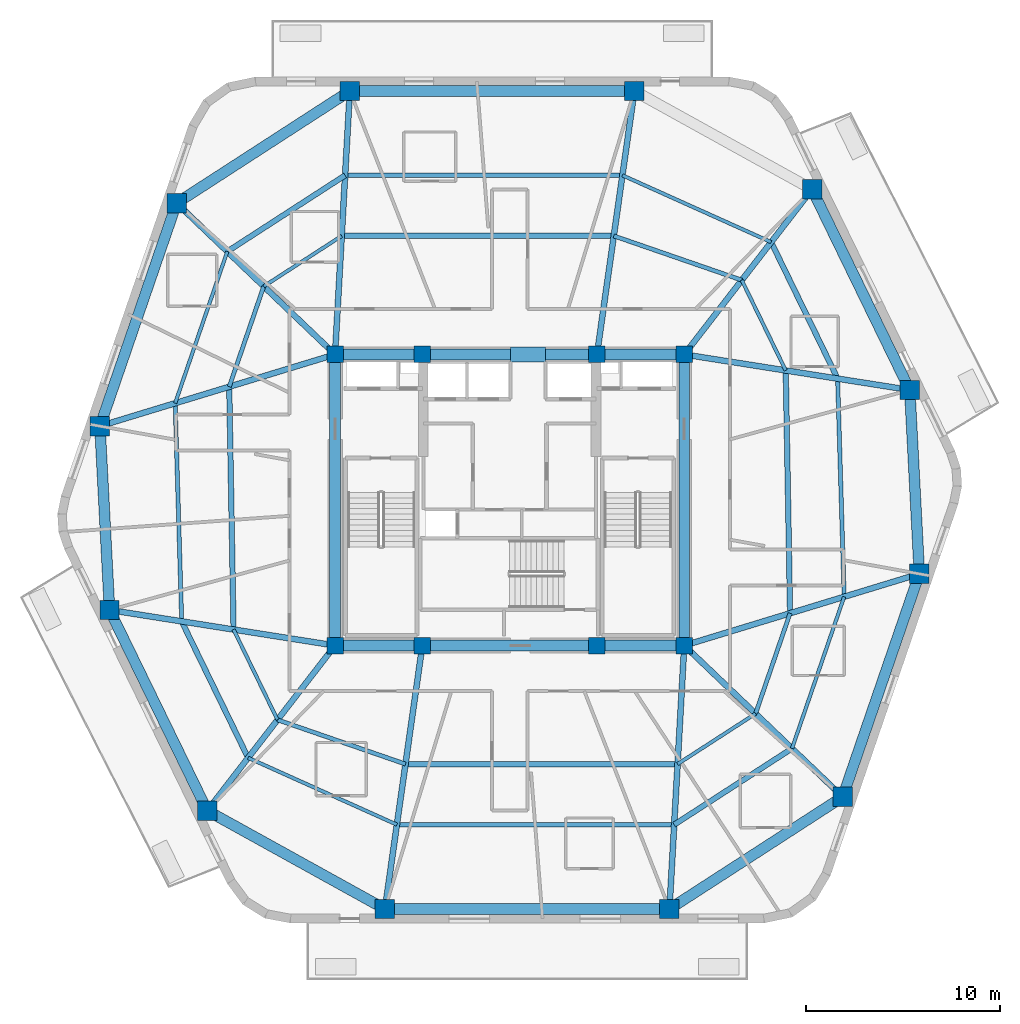
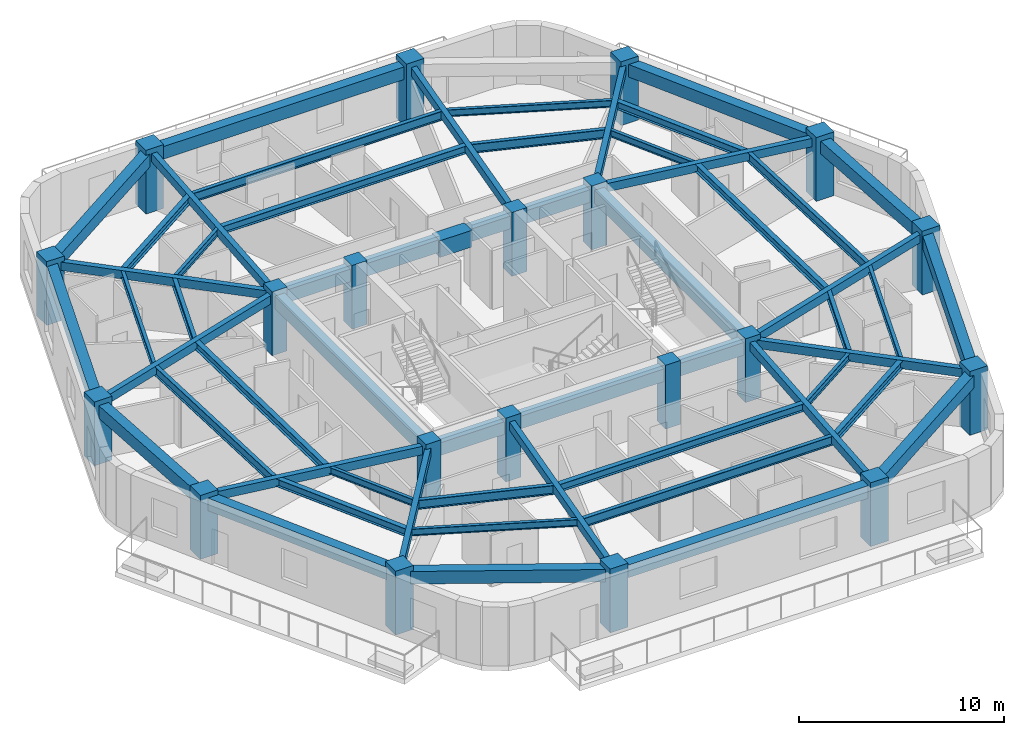
# One storey, part 1 of 10: 56 beams, 20 columns.
"""IFC4 building model written with IfcOpenShell, lengths in metres."""

import ifcopenshell
import ifcopenshell.guid

model = None  # the IFC model being written
_history = None  # IfcOwnerHistory: only IFC2X3 demands one
_inside = {}  # id of a spatial element -> (the spatial element, [elements in it])
_under = {}  # id of a project, library or spatial element -> (it, [spatial elements below it])
_declared = {}  # id of a project -> (the project, [libraries it declares])
_typed = {}  # id of a type object -> (the type object, [elements of that type])
_made_of = {}  # id of a material, layer set ... -> (it, [elements and type objects made of it])


def new_model(schema):
    """Start an empty IFC model of exactly this schema.

    Asked for "IFC4X3", IfcOpenShell would pick the latest addendum, in which some entities
    have other attributes; the version numbers below select the first issue.
    IFC2X3 requires an IfcOwnerHistory on every rooted entity: one is made here for all.
    """
    global model, _history
    if schema == "IFC4X3":
        model = ifcopenshell.file(schema_version=(4, 3, 0, 0))
    else:
        model = ifcopenshell.file(schema=schema)
    _inside.clear()
    _under.clear()
    _declared.clear()
    _typed.clear()
    _made_of.clear()
    _history = None
    if model.schema == "IFC2X3":
        org = make("IfcOrganization", Name="unknown")
        user = make(
            "IfcPersonAndOrganization",
            ThePerson=make("IfcPerson", FamilyName="unknown"),
            TheOrganization=org,
        )
        app = make(
            "IfcApplication",
            ApplicationDeveloper=org,
            Version="unknown",
            ApplicationFullName="unknown",
            ApplicationIdentifier="unknown",
        )
        _history = make(
            "IfcOwnerHistory",
            OwningUser=user,
            OwningApplication=app,
            ChangeAction="ADDED",
            CreationDate=0,
        )
    return model


def make(cls, **values):
    """One entity of the class cls with the attributes given. An attribute that is None is left unset."""
    return model.create_entity(
        cls, **{name: value for name, value in values.items() if value is not None}
    )


def rooted(cls, **values):
    """An entity with a GlobalId (a new one), such as an element, a storey or a relation."""
    return make(cls, GlobalId=ifcopenshell.guid.new(), OwnerHistory=_history, **values)


def si_unit(unit_type, name, prefix=None):
    """IfcSIUnit, for example si_unit("LENGTHUNIT", "METRE", prefix="MILLI")."""
    return make("IfcSIUnit", UnitType=unit_type, Prefix=prefix, Name=name)


def assignment(units):
    """IfcUnitAssignment: the units of a project."""
    return None if units is None else make("IfcUnitAssignment", Units=units)


def point(xyz):
    """IfcCartesianPoint."""
    return None if xyz is None else make("IfcCartesianPoint", Coordinates=xyz)


def direction(xyz):
    """IfcDirection."""
    return None if xyz is None else make("IfcDirection", DirectionRatios=xyz)


def frame(location, z_axis=None, x_axis=None):
    """IfcAxis2Placement3D, a coordinate frame: its origin and axes. An axis left out is left unset."""
    return make(
        "IfcAxis2Placement3D",
        Location=point(location),
        Axis=direction(z_axis),
        RefDirection=direction(x_axis),
    )


def frame_2d(location, x_axis=None):
    """IfcAxis2Placement2D, a coordinate frame in the plane: its origin and x axis."""
    return make(
        "IfcAxis2Placement2D", Location=point(location), RefDirection=direction(x_axis)
    )


def origin():
    """The frame at (0, 0, 0) with its axes left unset."""
    return frame((0.0, 0.0, 0.0))


def origin_2d():
    """The frame at (0, 0) in the plane with its x axis left unset."""
    return frame_2d((0.0, 0.0))


def place(relative_to, where):
    """IfcLocalPlacement: puts the frame where relative to a parent placement (None: the world)."""
    return make(
        "IfcLocalPlacement", PlacementRelTo=relative_to, RelativePlacement=where
    )


def context(
    kind, dimensions, precision=None, world=None, true_north=None, identifier=None
):
    """IfcGeometricRepresentationContext, for example the 3D "Model" context."""
    return make(
        "IfcGeometricRepresentationContext",
        ContextIdentifier=identifier,
        ContextType=kind,
        CoordinateSpaceDimension=dimensions,
        Precision=precision,
        WorldCoordinateSystem=world,
        TrueNorth=true_north,
    )


def subcontext(parent, identifier, kind, view, scale=None):
    """IfcGeometricRepresentationSubContext, for example "Body" below "Model"."""
    return make(
        "IfcGeometricRepresentationSubContext",
        ContextIdentifier=identifier,
        ContextType=kind,
        ParentContext=parent,
        TargetScale=scale,
        TargetView=view,
    )


def project(units=None, contexts=None):
    """IfcProject with its units and contexts."""
    return rooted(
        "IfcProject",
        Name="project",
        RepresentationContexts=contexts,
        UnitsInContext=assignment(units),
    )


def spatial(cls, under=None, at=None, **own):
    """A site, building, storey or space (cls), placed at a placement, below another one or the project."""
    s = rooted(cls, ObjectPlacement=at, **own)
    if under is not None:
        _under.setdefault(under.id(), (under, []))[1].append(s)
    return s


def profile(cls, at=None, kind="AREA", **sizes):
    """A parametric profile (cls). Its sizes go by their IFC names, for example OverallWidth=200.0."""
    return make(cls, ProfileType=kind, Position=at, **sizes)


def rectangle(**sizes):
    """IfcRectangleProfileDef."""
    return profile("IfcRectangleProfileDef", **sizes)


def i_section(**sizes):
    """IfcIShapeProfileDef."""
    return profile("IfcIShapeProfileDef", **sizes)


def extrude(swept, where, along, depth):
    """IfcExtrudedAreaSolid: the profile swept, set in the frame where, extruded along a direction by depth."""
    return make(
        "IfcExtrudedAreaSolid",
        SweptArea=swept,
        Position=where,
        ExtrudedDirection=direction(along),
        Depth=depth,
    )


def shape(context_of_items, identifier, shape_type, items):
    """IfcShapeRepresentation: the items that make up one representation, for example the "Body"."""
    return make(
        "IfcShapeRepresentation",
        ContextOfItems=context_of_items,
        RepresentationIdentifier=identifier,
        RepresentationType=shape_type,
        Items=items,
    )


def material(Name=None, Category=None):
    """IfcMaterial."""
    return make("IfcMaterial", Name=Name, Category=Category)


def material_profile(
    of_material, cross_section, Name=None, Category=None, Priority=None
):
    """IfcMaterialProfile: a cross section and its material."""
    return make(
        "IfcMaterialProfile",
        Name=Name,
        Material=of_material,
        Profile=cross_section,
        Priority=Priority,
        Category=Category,
    )


def profile_set(profiles, Name=None, composite=None):
    """IfcMaterialProfileSet."""
    return make(
        "IfcMaterialProfileSet",
        Name=Name,
        MaterialProfiles=profiles,
        CompositeProfile=composite,
    )


def made_of(thing, what):
    """Note that an element or type object is made of a material, layer set ...; save() writes the relation."""
    if what is not None:
        _made_of.setdefault(what.id(), (what, []))[1].append(thing)
    return thing


def type_object(cls, material=None, **own):
    """A type object (cls), such as IfcWallType, which elements share."""
    return made_of(rooted(cls, **own), material)


def element(
    cls,
    number,
    at=None,
    inside=None,
    cuts=None,
    type_object=None,
    material=None,
    context=None,
    identifier="Body",
    shape_type=None,
    held_by="IfcProductDefinitionShape",
    body=None,
    shapes=None,
    **own,
):
    """One element of the class cls, such as IfcWall. Its Tag is "e" and its number.

    at: its placement. inside: the storey or other place that contains it. cuts: it is an
    opening in that element (IfcRelVoidsElement). A single representation is given by context,
    identifier, shape_type and body (its items); several are given by shapes. held_by: the class
    of the entity that holds the representations. save() writes the other relations.
    """
    e = rooted(cls, Tag="e%d" % number, ObjectPlacement=at, **own)
    if body is not None:
        shapes = [shape(context, identifier, shape_type, body)]
    if shapes is not None:
        e.Representation = make(held_by, Representations=shapes)
    if inside is not None:
        _inside.setdefault(inside.id(), (inside, []))[1].append(e)
    if cuts is not None:
        rooted(
            "IfcRelVoidsElement", RelatingBuildingElement=cuts, RelatedOpeningElement=e
        )
    if type_object is not None:
        _typed.setdefault(type_object.id(), (type_object, []))[1].append(e)
    return made_of(e, material)


def aggregate(whole, parts):
    """IfcRelAggregates: a whole, such as a stair, and the parts it consists of."""
    return rooted("IfcRelAggregates", RelatingObject=whole, RelatedObjects=parts)


def save(model, path):
    """Write the relations noted so far, then the file.

    IfcRelAggregates (storeys below a building ...), IfcRelContainedInSpatialStructure (elements
    in a storey), IfcRelDefinesByType, IfcRelAssociatesMaterial and IfcRelDeclares: one each for
    every whole, place, type object, material and project.
    """
    for whole, parts in _under.values():
        aggregate(whole, parts)
    for where, things in _inside.values():
        rooted(
            "IfcRelContainedInSpatialStructure",
            RelatedElements=things,
            RelatingStructure=where,
        )
    for kind, things in _typed.values():
        rooted("IfcRelDefinesByType", RelatedObjects=things, RelatingType=kind)
    for what, things in _made_of.values():
        rooted("IfcRelAssociatesMaterial", RelatedObjects=things, RelatingMaterial=what)
    for by, libraries in _declared.values():
        rooted("IfcRelDeclares", RelatingContext=by, RelatedDefinitions=libraries)
    model.write(path)


model = new_model("IFC4")

# Units and contexts
model_context = context("Model", 3, precision=1e-05, world=origin(), true_north=direction((0.0, 1.0)))
body_context = subcontext(model_context, "Body", "Model", "MODEL_VIEW")
ifc_project = project(units=[si_unit("LENGTHUNIT", "METRE"), si_unit("AREAUNIT", "SQUARE_METRE"), si_unit("VOLUMEUNIT", "CUBIC_METRE"), si_unit("PLANEANGLEUNIT", "RADIAN"), si_unit("MASSUNIT", "GRAM", prefix="KILO")], contexts=[model_context])

# Site, building, storey
site_placement = place(None, origin())
site = spatial("IfcSite", under=ifc_project, at=site_placement, CompositionType="ELEMENT")
building_placement = place(site_placement, origin())
building = spatial("IfcBuilding", under=site, at=building_placement, Name="Kilnhurst Terrace Hotel", CompositionType="ELEMENT")
storey_placement = place(building_placement, frame((0.0, 0.0, 217.89990234375)))
storey = spatial("IfcBuildingStorey", under=building, at=storey_placement, Name="L54", CompositionType="ELEMENT", Elevation=217.89990234375)

# Columns
ifc_material_1 = material(Name="Concrete C60/75", Category="concrete")
ifc_material_profile_1 = material_profile(ifc_material_1, rectangle(XDim=1.0, YDim=1.0, at=origin_2d()), Name="RC1000X1000")
ifc_profile_set_1 = profile_set([ifc_material_profile_1], Name="Concrete C60/75")
column_type_1 = type_object("IfcColumnType", Name="COL-RC-1000", PredefinedType="COLUMN", material=ifc_profile_set_1)
for number, where, z_axis, x_axis, name in (
    (1, (-6.429931640625, -21.080078125, 0.0), (0.0, 0.0, 1.0), (1.0, 0.0, 0.0), "L54 Structural Column PC-F11"),
    (2, (8.236083984375, -21.080078125, 0.0), (0.0, 0.0, 1.0), (1.0, 0.0, 0.0), "L54 Structural Column PC-F12"),
    (3, (17.166015625, -15.303955078125, 0.0), (0.0, 0.0, 1.0), (1.0, 0.0, 0.0), "L54 Structural Column PC-F21"),
    (4, (21.117919921875, -3.806884765625, 0.0), (0.0, 0.0, 1.0), (1.0, 0.0, 0.0), "L54 Structural Column PC-F22"),
    (5, (20.6220703125, 5.669921875, 0.0), (0.0, 0.0, 1.0), (1.0, 0.0, 0.0), "L54 Structural Column PC-F31"),
    (6, (15.5869140625, 16.012939453125, 0.0), (0.0, 0.0, 1.0), (1.0, 0.0, 0.0), "L54 Structural Column PC-F32"),
    (7, (6.429931640625, 21.080078125, 0.0), (0.0, 0.0, 1.0), (1.0, 0.0, 0.0), "L54 Structural Column PC-F41"),
    (8, (-8.236083984375, 21.080078125, 0.0), (0.0, 0.0, 1.0), (1.0, 0.0, 0.0), "L54 Structural Column PC-F42"),
    (9, (-17.166015625, 15.303955078125, 0.0), (0.0, 0.0, 1.0), (1.0, 0.0, 0.0), "L54 Structural Column PC-F51"),
    (10, (-21.117919921875, 3.806884765625, 0.0), (0.0, 0.0, 1.0), (1.0, 0.0, 0.0), "L54 Structural Column PC-F52"),
    (11, (-20.6220703125, -5.669921875, 0.0), (0.0, 0.0, 1.0), (1.0, 0.0, 0.0), "L54 Structural Column PC-F61"),
    (12, (-15.5869140625, -16.012939453125, 0.0), (0.0, 0.0, 1.0), (1.0, 0.0, 0.0), "L54 Structural Column PC-F62"),
):
    element("IfcColumn", number, at=place(storey_placement, frame(where, z_axis=z_axis, x_axis=x_axis)), inside=storey, type_object=column_type_1, Name=name, PredefinedType="COLUMN", context=body_context, shape_type="SweptSolid", body=[
        extrude(rectangle(XDim=1.0, YDim=1.0, at=origin_2d()), origin(), (0.0, 0.0, 1.0), 3.800048828125),
    ])
ifc_material_profile_2 = material_profile(ifc_material_1, rectangle(XDim=0.85009765625, YDim=0.85009765625, at=origin_2d()), Name="RC850X850")
ifc_profile_set_2 = profile_set([ifc_material_profile_2], Name="Concrete C60/75")
column_type_2 = type_object("IfcColumnType", Name="COL-RC-850", PredefinedType="COLUMN", material=ifc_profile_set_2)
for number, where, z_axis, x_axis, name in (
    (13, (-9.0, -7.5, 0.0), (0.0, 0.0, 1.0), (1.0, 0.0, 0.0), "L54 Structural Column CC-SW"),
    (14, (-4.5, -7.5, 0.0), (0.0, 0.0, 1.0), (1.0, 0.0, 0.0), "L54 Structural Column CC-SC1"),
    (15, (4.5, -7.5, 0.0), (0.0, 0.0, 1.0), (1.0, 0.0, 0.0), "L54 Structural Column CC-SC2"),
    (16, (9.0, -7.5, 0.0), (0.0, 0.0, 1.0), (1.0, 0.0, 0.0), "L54 Structural Column CC-SE"),
    (17, (9.0, 7.5, 0.0), (0.0, 0.0, 1.0), (1.0, 0.0, 0.0), "L54 Structural Column CC-NE"),
    (18, (4.5, 7.5, 0.0), (0.0, 0.0, 1.0), (1.0, 0.0, 0.0), "L54 Structural Column CC-NC2"),
    (19, (-4.5, 7.5, 0.0), (0.0, 0.0, 1.0), (1.0, 0.0, 0.0), "L54 Structural Column CC-NC1"),
    (20, (-9.0, 7.5, 0.0), (0.0, 0.0, 1.0), (1.0, 0.0, 0.0), "L54 Structural Column CC-NW"),
):
    element("IfcColumn", number, at=place(storey_placement, frame(where, z_axis=z_axis, x_axis=x_axis)), inside=storey, type_object=column_type_2, Name=name, PredefinedType="COLUMN", context=body_context, shape_type="SweptSolid", body=[
        extrude(rectangle(XDim=0.85009765625, YDim=0.85009765625, at=origin_2d()), origin(), (0.0, 0.0, 1.0), 3.800048828125),
    ])

# Beams
ifc_material_2 = material(Name="Concrete C50/60", Category="concrete")
ifc_material_profile_3 = material_profile(ifc_material_2, rectangle(XDim=0.300048828125, YDim=0.5, at=origin_2d()), Name="RC300X500")
ifc_profile_set_3 = profile_set([ifc_material_profile_3], Name="Concrete C50/60")
beam_type_1 = type_object("IfcBeamType", Name="BM-RAD-300X500", PredefinedType="BEAM", material=ifc_profile_set_3)
beam_1_placement = place(storey_placement, frame((-4.5, -7.5, 3.25), z_axis=(-0.140701170889, -0.990052109997, 0.0), x_axis=(0.990052109997, -0.140701170889, 0.0)))
element("IfcBeam", 21, at=beam_1_placement, inside=storey, type_object=beam_type_1, Name="L54 Radial Floor Beam 1", PredefinedType="BEAM", context=body_context, shape_type="SweptSolid", body=[
    extrude(rectangle(XDim=0.300048828125, YDim=0.5, at=origin_2d()), origin(), (0.0, 0.0, 1.0), 13.716552734375),
])
beam_2_placement = place(storey_placement, frame((9.0, -7.5, 3.25), z_axis=(-0.056163905291, -0.998421562138, 0.0), x_axis=(0.998421562138, -0.056163905291, 0.0)))
element("IfcBeam", 22, at=beam_2_placement, inside=storey, type_object=beam_type_1, Name="L54 Radial Floor Beam 2", PredefinedType="BEAM", context=body_context, shape_type="SweptSolid", body=[
    extrude(rectangle(XDim=0.300048828125, YDim=0.5, at=origin_2d()), origin(), (0.0, 0.0, 1.0), 13.6015625),
])
beam_3_placement = place(storey_placement, frame((9.0, -7.5, 3.25), z_axis=(0.722952064528, -0.690898192497, 0.0), x_axis=(0.690898192497, 0.722952064528, 0.0)))
element("IfcBeam", 23, at=beam_3_placement, inside=storey, type_object=beam_type_1, Name="L54 Radial Floor Beam 3", PredefinedType="BEAM", context=body_context, shape_type="SweptSolid", body=[
    extrude(rectangle(XDim=0.300048828125, YDim=0.5, at=origin_2d()), origin(), (0.0, 0.0, 1.0), 11.29541015625),
])
beam_4_placement = place(storey_placement, frame((9.0, -7.5, 3.25), z_axis=(0.956562713724, 0.291526627793, 0.0), x_axis=(-0.291526627793, 0.956562713724, 0.0)))
element("IfcBeam", 24, at=beam_4_placement, inside=storey, type_object=beam_type_1, Name="L54 Radial Floor Beam 4", PredefinedType="BEAM", context=body_context, shape_type="SweptSolid", body=[
    extrude(rectangle(XDim=0.300048828125, YDim=0.5, at=origin_2d()), origin(), (0.0, 0.0, 1.0), 12.668212890625),
])
beam_5_placement = place(storey_placement, frame((9.0, 7.5, 3.25), z_axis=(0.987828160163, -0.155549111179, 0.0), x_axis=(0.155549111179, 0.987828160163, 0.0)))
element("IfcBeam", 25, at=beam_5_placement, inside=storey, type_object=beam_type_1, Name="L54 Radial Floor Beam 5", PredefinedType="BEAM", context=body_context, shape_type="SweptSolid", body=[
    extrude(rectangle(XDim=0.300048828125, YDim=0.5, at=origin_2d()), origin(), (0.0, 0.0, 1.0), 11.765380859375),
])
beam_6_placement = place(storey_placement, frame((9.0, 7.5, 3.25), z_axis=(0.611955412533, 0.790892263884, 0.0), x_axis=(-0.790892263884, 0.611955412533, 0.0)))
element("IfcBeam", 26, at=beam_6_placement, inside=storey, type_object=beam_type_1, Name="L54 Radial Floor Beam 6", PredefinedType="BEAM", context=body_context, shape_type="SweptSolid", body=[
    extrude(rectangle(XDim=0.300048828125, YDim=0.5, at=origin_2d()), origin(), (0.0, 0.0, 1.0), 10.763671875),
])
beam_7_placement = place(storey_placement, frame((4.5, 7.5, 3.25), z_axis=(0.140701170889, 0.990052109997, 0.0), x_axis=(-0.990052109997, 0.140701170889, 0.0)))
element("IfcBeam", 27, at=beam_7_placement, inside=storey, type_object=beam_type_1, Name="L54 Radial Floor Beam 7", PredefinedType="BEAM", context=body_context, shape_type="SweptSolid", body=[
    extrude(rectangle(XDim=0.300048828125, YDim=0.5, at=origin_2d()), origin(), (0.0, 0.0, 1.0), 13.716552734375),
])
beam_8_placement = place(storey_placement, frame((-9.0, 7.5, 3.25), z_axis=(0.056163905291, 0.998421562138, 0.0), x_axis=(-0.998421562138, 0.056163905291, 0.0)))
element("IfcBeam", 28, at=beam_8_placement, inside=storey, type_object=beam_type_1, Name="L54 Radial Floor Beam 8", PredefinedType="BEAM", context=body_context, shape_type="SweptSolid", body=[
    extrude(rectangle(XDim=0.300048828125, YDim=0.5, at=origin_2d()), origin(), (0.0, 0.0, 1.0), 13.6015625),
])
beam_9_placement = place(storey_placement, frame((-9.0, 7.5, 3.25), z_axis=(-0.722952064528, 0.690898192497, 0.0), x_axis=(-0.690898192497, -0.722952064528, 0.0)))
element("IfcBeam", 29, at=beam_9_placement, inside=storey, type_object=beam_type_1, Name="L54 Radial Floor Beam 9", PredefinedType="BEAM", context=body_context, shape_type="SweptSolid", body=[
    extrude(rectangle(XDim=0.300048828125, YDim=0.5, at=origin_2d()), origin(), (0.0, 0.0, 1.0), 11.29541015625),
])
beam_10_placement = place(storey_placement, frame((-9.0, 7.5, 3.25), z_axis=(-0.956562713724, -0.291526627793, 0.0), x_axis=(0.291526627793, -0.956562713724, 0.0)))
element("IfcBeam", 30, at=beam_10_placement, inside=storey, type_object=beam_type_1, Name="L54 Radial Floor Beam 10", PredefinedType="BEAM", context=body_context, shape_type="SweptSolid", body=[
    extrude(rectangle(XDim=0.300048828125, YDim=0.5, at=origin_2d()), origin(), (0.0, 0.0, 1.0), 12.668212890625),
])
beam_11_placement = place(storey_placement, frame((-9.0, -7.5, 3.25), z_axis=(-0.987828160163, 0.155549111179, 0.0), x_axis=(-0.155549111179, -0.987828160163, 0.0)))
element("IfcBeam", 31, at=beam_11_placement, inside=storey, type_object=beam_type_1, Name="L54 Radial Floor Beam 11", PredefinedType="BEAM", context=body_context, shape_type="SweptSolid", body=[
    extrude(rectangle(XDim=0.300048828125, YDim=0.5, at=origin_2d()), origin(), (0.0, 0.0, 1.0), 11.765380859375),
])
beam_12_placement = place(storey_placement, frame((-9.0, -7.5, 3.25), z_axis=(-0.611955412533, -0.790892263884, 0.0), x_axis=(0.790892263884, -0.611955412533, 0.0)))
element("IfcBeam", 32, at=beam_12_placement, inside=storey, type_object=beam_type_1, Name="L54 Radial Floor Beam 12", PredefinedType="BEAM", context=body_context, shape_type="SweptSolid", body=[
    extrude(rectangle(XDim=0.300048828125, YDim=0.5, at=origin_2d()), origin(), (0.0, 0.0, 1.0), 10.763671875),
])
ifc_material_profile_4 = material_profile(ifc_material_2, rectangle(XDim=0.550048828125, YDim=0.75, at=origin_2d()), Name="RC550X750")
ifc_profile_set_4 = profile_set([ifc_material_profile_4], Name="Concrete C50/60")
beam_type_2 = type_object("IfcBeamType", Name="BM-SPN-550X750", PredefinedType="SPANDREL", material=ifc_profile_set_4)
beam_13_placement = place(storey_placement, frame((-9.0, 7.5, 3.125), z_axis=(1.0, 0.0, 0.0), x_axis=(0.0, 1.0, 0.0)))
element("IfcBeam", 33, at=beam_13_placement, inside=storey, type_object=beam_type_2, Name="L54 Core Tie Beam CC-NW to CC-NC1", PredefinedType="SPANDREL", context=body_context, shape_type="SweptSolid", body=[
    extrude(rectangle(XDim=0.550048828125, YDim=0.75, at=origin_2d()), origin(), (0.0, 0.0, 1.0), 4.5),
])
beam_14_placement = place(storey_placement, frame((-4.5, 7.5, 3.125), z_axis=(1.0, 0.0, 0.0), x_axis=(0.0, 1.0, 0.0)))
element("IfcBeam", 34, at=beam_14_placement, inside=storey, type_object=beam_type_2, Name="L54 Core Tie Beam CC-NC1 to CC-NC2", PredefinedType="SPANDREL", context=body_context, shape_type="SweptSolid", body=[
    extrude(rectangle(XDim=0.550048828125, YDim=0.75, at=origin_2d()), origin(), (0.0, 0.0, 1.0), 9.0),
])
for number, where, z_axis, x_axis, name in (
    (35, (4.5, 7.5, 3.125), (1.0, 0.0, 0.0), (0.0, 1.0, 0.0), "L54 Core Tie Beam CC-NC2 to CC-NE"),
    (36, (-9.0, -7.5, 3.125), (1.0, 0.0, 0.0), (0.0, 1.0, 0.0), "L54 Core Tie Beam CC-SW to CC-SC1"),
):
    element("IfcBeam", number, at=place(storey_placement, frame(where, z_axis=z_axis, x_axis=x_axis)), inside=storey, type_object=beam_type_2, Name=name, PredefinedType="SPANDREL", context=body_context, shape_type="SweptSolid", body=[
        extrude(rectangle(XDim=0.550048828125, YDim=0.75, at=origin_2d()), origin(), (0.0, 0.0, 1.0), 4.5),
    ])
beam_15_placement = place(storey_placement, frame((-4.5, -7.5, 3.125), z_axis=(1.0, 0.0, 0.0), x_axis=(0.0, 1.0, 0.0)))
element("IfcBeam", 37, at=beam_15_placement, inside=storey, type_object=beam_type_2, Name="L54 Core Tie Beam CC-SC1 to CC-SC2", PredefinedType="SPANDREL", context=body_context, shape_type="SweptSolid", body=[
    extrude(rectangle(XDim=0.550048828125, YDim=0.75, at=origin_2d()), origin(), (0.0, 0.0, 1.0), 9.0),
])
beam_16_placement = place(storey_placement, frame((4.5, -7.5, 3.125), z_axis=(1.0, 0.0, 0.0), x_axis=(0.0, 1.0, 0.0)))
element("IfcBeam", 38, at=beam_16_placement, inside=storey, type_object=beam_type_2, Name="L54 Core Tie Beam CC-SC2 to CC-SE", PredefinedType="SPANDREL", context=body_context, shape_type="SweptSolid", body=[
    extrude(rectangle(XDim=0.550048828125, YDim=0.75, at=origin_2d()), origin(), (0.0, 0.0, 1.0), 4.5),
])
for number, where, z_axis, x_axis, name in (
    (39, (-9.0, -7.5, 3.125), (0.0, 1.0, 0.0), (-1.0, 0.0, 0.0), "L54 Core Tie Beam CC-SW to CC-NW"),
    (40, (9.0, -7.5, 3.125), (0.0, 1.0, 0.0), (-1.0, 0.0, 0.0), "L54 Core Tie Beam CC-SE to CC-NE"),
):
    element("IfcBeam", number, at=place(storey_placement, frame(where, z_axis=z_axis, x_axis=x_axis)), inside=storey, type_object=beam_type_2, Name=name, PredefinedType="SPANDREL", context=body_context, shape_type="SweptSolid", body=[
        extrude(rectangle(XDim=0.550048828125, YDim=0.75, at=origin_2d()), origin(), (0.0, 0.0, 1.0), 15.0),
    ])
beam_17_placement = place(storey_placement, frame((-6.429931640625, -21.080078125, 3.125), z_axis=(1.0, 0.0, 0.0), x_axis=(0.0, 1.0, 0.0)))
element("IfcBeam", 41, at=beam_17_placement, inside=storey, type_object=beam_type_2, Name="L54 Perimeter Spandrel Beam 1", PredefinedType="SPANDREL", context=body_context, shape_type="SweptSolid", body=[
    extrude(rectangle(XDim=0.550048828125, YDim=0.75, at=origin_2d()), origin(), (0.0, 0.0, 1.0), 14.666015625),
])
beam_18_placement = place(storey_placement, frame((8.236083984375, -21.080078125, 3.125), z_axis=(0.839658834217, 0.543114207254, 0.0), x_axis=(-0.543114207254, 0.839658834217, 0.0)))
element("IfcBeam", 42, at=beam_18_placement, inside=storey, type_object=beam_type_2, Name="L54 Perimeter Spandrel Beam 2", PredefinedType="SPANDREL", context=body_context, shape_type="SweptSolid", body=[
    extrude(rectangle(XDim=0.550048828125, YDim=0.75, at=origin_2d()), origin(), (0.0, 0.0, 1.0), 10.63525390625),
])
beam_19_placement = place(storey_placement, frame((17.166015625, -15.303955078125, 3.125), z_axis=(0.325064053802, 0.94569200109, 0.0), x_axis=(-0.94569200109, 0.325064053802, 0.0)))
element("IfcBeam", 43, at=beam_19_placement, inside=storey, type_object=beam_type_2, Name="L54 Perimeter Spandrel Beam 3", PredefinedType="SPANDREL", context=body_context, shape_type="SweptSolid", body=[
    extrude(rectangle(XDim=0.550048828125, YDim=0.75, at=origin_2d()), origin(), (0.0, 0.0, 1.0), 12.1572265625),
])
beam_20_placement = place(storey_placement, frame((21.117919921875, -3.806884765625, 3.125), z_axis=(-0.052250962837, 0.998633985443, 0.0), x_axis=(-0.998633985443, -0.052250962837, 0.0)))
element("IfcBeam", 44, at=beam_20_placement, inside=storey, type_object=beam_type_2, Name="L54 Perimeter Spandrel Beam 4", PredefinedType="SPANDREL", context=body_context, shape_type="SweptSolid", body=[
    extrude(rectangle(XDim=0.550048828125, YDim=0.75, at=origin_2d()), origin(), (0.0, 0.0, 1.0), 9.48974609375),
])
beam_21_placement = place(storey_placement, frame((20.6220703125, 5.669921875, 3.125), z_axis=(-0.437705964683, 0.899118172701, 0.0), x_axis=(-0.899118172701, -0.437705964683, 0.0)))
element("IfcBeam", 45, at=beam_21_placement, inside=storey, type_object=beam_type_2, Name="L54 Perimeter Spandrel Beam 5", PredefinedType="SPANDREL", context=body_context, shape_type="SweptSolid", body=[
    extrude(rectangle(XDim=0.550048828125, YDim=0.75, at=origin_2d()), origin(), (0.0, 0.0, 1.0), 11.50341796875),
])
beam_22_placement = place(storey_placement, frame((6.429931640625, 21.080078125, 3.125), z_axis=(-1.0, 0.0, 0.0), x_axis=(0.0, -1.0, 0.0)))
element("IfcBeam", 46, at=beam_22_placement, inside=storey, type_object=beam_type_2, Name="L54 Perimeter Spandrel Beam 7", PredefinedType="SPANDREL", context=body_context, shape_type="SweptSolid", body=[
    extrude(rectangle(XDim=0.550048828125, YDim=0.75, at=origin_2d()), origin(), (0.0, 0.0, 1.0), 14.666015625),
])
beam_23_placement = place(storey_placement, frame((-8.236083984375, 21.080078125, 3.125), z_axis=(-0.839658834217, -0.543114207254, 0.0), x_axis=(0.543114207254, -0.839658834217, 0.0)))
element("IfcBeam", 47, at=beam_23_placement, inside=storey, type_object=beam_type_2, Name="L54 Perimeter Spandrel Beam 8", PredefinedType="SPANDREL", context=body_context, shape_type="SweptSolid", body=[
    extrude(rectangle(XDim=0.550048828125, YDim=0.75, at=origin_2d()), origin(), (0.0, 0.0, 1.0), 10.63525390625),
])
beam_24_placement = place(storey_placement, frame((-17.166015625, 15.303955078125, 3.125), z_axis=(-0.325064053802, -0.94569200109, 0.0), x_axis=(0.94569200109, -0.325064053802, 0.0)))
element("IfcBeam", 48, at=beam_24_placement, inside=storey, type_object=beam_type_2, Name="L54 Perimeter Spandrel Beam 9", PredefinedType="SPANDREL", context=body_context, shape_type="SweptSolid", body=[
    extrude(rectangle(XDim=0.550048828125, YDim=0.75, at=origin_2d()), origin(), (0.0, 0.0, 1.0), 12.1572265625),
])
beam_25_placement = place(storey_placement, frame((-21.117919921875, 3.806884765625, 3.125), z_axis=(0.052250962837, -0.998633985443, 0.0), x_axis=(0.998633985443, 0.052250962837, 0.0)))
element("IfcBeam", 49, at=beam_25_placement, inside=storey, type_object=beam_type_2, Name="L54 Perimeter Spandrel Beam 10", PredefinedType="SPANDREL", context=body_context, shape_type="SweptSolid", body=[
    extrude(rectangle(XDim=0.550048828125, YDim=0.75, at=origin_2d()), origin(), (0.0, 0.0, 1.0), 9.48974609375),
])
beam_26_placement = place(storey_placement, frame((-20.6220703125, -5.669921875, 3.125), z_axis=(0.437705964683, -0.899118172701, 0.0), x_axis=(0.899118172701, 0.437705964683, 0.0)))
element("IfcBeam", 50, at=beam_26_placement, inside=storey, type_object=beam_type_2, Name="L54 Perimeter Spandrel Beam 11", PredefinedType="SPANDREL", context=body_context, shape_type="SweptSolid", body=[
    extrude(rectangle(XDim=0.550048828125, YDim=0.75, at=origin_2d()), origin(), (0.0, 0.0, 1.0), 11.50341796875),
])
beam_27_placement = place(storey_placement, frame((-15.5869140625, -16.012939453125, 3.125), z_axis=(0.874970333121, -0.484176534085, 0.0), x_axis=(0.484176534085, 0.874970333121, 0.0)))
element("IfcBeam", 51, at=beam_27_placement, inside=storey, type_object=beam_type_2, Name="L54 Perimeter Spandrel Beam 12", PredefinedType="SPANDREL", context=body_context, shape_type="SweptSolid", body=[
    extrude(rectangle(XDim=0.550048828125, YDim=0.75, at=origin_2d()), origin(), (0.0, 0.0, 1.0), 10.465576171875),
])
ifc_material_3 = material(Name="Steel ASTM A992 Grade 50", Category="steel")
ifc_material_profile_5 = material_profile(ifc_material_3, i_section(OverallWidth=0.180908203125, OverallDepth=0.417236328125, WebThickness=0.010986328125, FlangeThickness=0.018310546875, at=origin_2d()), Name="W16X57")
ifc_profile_set_5 = profile_set([ifc_material_profile_5], Name="Steel ASTM A992 Grade 50")
beam_type_3 = type_object("IfcBeamType", Name="JST-STL-W16X57", PredefinedType="JOIST", material=ifc_profile_set_5)
beam_28_placement = place(storey_placement, frame((14.552978515625, -12.806640625, 3.291015625), z_axis=(0.325064911916, 0.945691706129, 0.0), x_axis=(-0.945691706129, 0.325064911916, 0.0)))
element("IfcBeam", 52, at=beam_28_placement, inside=storey, type_object=beam_type_3, Name="L54 Secondary Floor Steel Joist OUT.3", PredefinedType="JOIST", context=body_context, shape_type="SweptSolid", body=[
    extrude(i_section(OverallWidth=0.180908203125, OverallDepth=0.417236328125, WebThickness=0.010986328125, FlangeThickness=0.018310546875, at=origin_2d()), origin(), (0.0, 0.0, 1.0), 8.266845703125),
])
beam_29_placement = place(storey_placement, frame((13.479248046875, 13.288818359375, 3.291015625), z_axis=(-0.912120852375, 0.409921395713, 0.0), x_axis=(-0.409921395713, -0.912120852375, 0.0)))
element("IfcBeam", 53, at=beam_29_placement, inside=storey, type_object=beam_type_3, Name="L54 Secondary Floor Steel Joist OUT.6", PredefinedType="JOIST", context=body_context, shape_type="SweptSolid", body=[
    extrude(i_section(OverallWidth=0.180908203125, OverallDepth=0.417236328125, WebThickness=0.010986328125, FlangeThickness=0.018310546875, at=origin_2d()), origin(), (0.0, 0.0, 1.0), 8.405517578125),
])
beam_30_placement = place(storey_placement, frame((-14.552978515625, 12.806640625, 3.291015625), z_axis=(-0.325064911916, -0.945691706129, 0.0), x_axis=(0.945691706129, -0.325064911916, 0.0)))
element("IfcBeam", 54, at=beam_30_placement, inside=storey, type_object=beam_type_3, Name="L54 Secondary Floor Steel Joist OUT.9", PredefinedType="JOIST", context=body_context, shape_type="SweptSolid", body=[
    extrude(i_section(OverallWidth=0.180908203125, OverallDepth=0.417236328125, WebThickness=0.010986328125, FlangeThickness=0.018310546875, at=origin_2d()), origin(), (0.0, 0.0, 1.0), 8.266845703125),
])
beam_31_placement = place(storey_placement, frame((-13.479248046875, -13.288818359375, 3.291015625), z_axis=(0.912120852375, -0.409921395713, 0.0), x_axis=(0.409921395713, 0.912120852375, 0.0)))
element("IfcBeam", 55, at=beam_31_placement, inside=storey, type_object=beam_type_3, Name="L54 Secondary Floor Steel Joist OUT.12", PredefinedType="JOIST", context=body_context, shape_type="SweptSolid", body=[
    extrude(i_section(OverallWidth=0.180908203125, OverallDepth=0.417236328125, WebThickness=0.010986328125, FlangeThickness=0.018310546875, at=origin_2d()), origin(), (0.0, 0.0, 1.0), 8.405517578125),
])
beam_32_placement = place(storey_placement, frame((8.65625, -13.611083984375, 3.291015625), z_axis=(0.839653632344, 0.543122249306, 0.0), x_axis=(-0.543122249306, 0.839653632344, 0.0)))
element("IfcBeam", 56, at=beam_32_placement, inside=storey, type_object=beam_type_3, Name="L54 Secondary Floor Steel Joist IN.2", PredefinedType="JOIST", context=body_context, shape_type="SweptSolid", body=[
    extrude(i_section(OverallWidth=0.180908203125, OverallDepth=0.417236328125, WebThickness=0.010986328125, FlangeThickness=0.018310546875, at=origin_2d()), origin(), (0.0, 0.0, 1.0), 4.785888671875),
])
beam_33_placement = place(storey_placement, frame((14.22998046875, 6.676513671875, 3.291015625), z_axis=(-0.437718230281, 0.899112201496, 0.0), x_axis=(-0.899112201496, -0.437718230281, 0.0)))
element("IfcBeam", 57, at=beam_33_placement, inside=storey, type_object=beam_type_3, Name="L54 Secondary Floor Steel Joist IN.5", PredefinedType="JOIST", context=body_context, shape_type="SweptSolid", body=[
    extrude(i_section(OverallWidth=0.180908203125, OverallDepth=0.417236328125, WebThickness=0.010986328125, FlangeThickness=0.018310546875, at=origin_2d()), origin(), (0.0, 0.0, 1.0), 5.176513671875),
])
beam_34_placement = place(storey_placement, frame((-8.65625, 13.611083984375, 3.291015625), z_axis=(-0.839653632344, -0.543122249306, 0.0), x_axis=(0.543122249306, -0.839653632344, 0.0)))
element("IfcBeam", 58, at=beam_34_placement, inside=storey, type_object=beam_type_3, Name="L54 Secondary Floor Steel Joist IN.8", PredefinedType="JOIST", context=body_context, shape_type="SweptSolid", body=[
    extrude(i_section(OverallWidth=0.180908203125, OverallDepth=0.417236328125, WebThickness=0.010986328125, FlangeThickness=0.018310546875, at=origin_2d()), origin(), (0.0, 0.0, 1.0), 4.785888671875),
])
beam_35_placement = place(storey_placement, frame((-14.22998046875, -6.676513671875, 3.291015625), z_axis=(0.437718230281, -0.899112201496, 0.0), x_axis=(0.899112201496, 0.437718230281, 0.0)))
element("IfcBeam", 59, at=beam_35_placement, inside=storey, type_object=beam_type_3, Name="L54 Secondary Floor Steel Joist IN.11", PredefinedType="JOIST", context=body_context, shape_type="SweptSolid", body=[
    extrude(i_section(OverallWidth=0.180908203125, OverallDepth=0.417236328125, WebThickness=0.010986328125, FlangeThickness=0.018310546875, at=origin_2d()), origin(), (0.0, 0.0, 1.0), 5.176513671875),
])
ifc_material_profile_6 = material_profile(ifc_material_3, i_section(OverallWidth=0.279296875, OverallDepth=0.462890625, WebThickness=0.0107421875, FlangeThickness=0.017333984375, at=origin_2d()), Name="W18X76")
ifc_profile_set_6 = profile_set([ifc_material_profile_6], Name="Steel ASTM A992 Grade 50")
beam_type_4 = type_object("IfcBeamType", Name="JST-STL-W18X76", PredefinedType="JOIST", material=ifc_profile_set_6)
beam_36_placement = place(storey_placement, frame((8.48046875, -16.734375, 3.26806640625), z_axis=(0.839667054453, 0.543101498494, 0.0), x_axis=(-0.543101498494, 0.839667054453, 0.0)))
element("IfcBeam", 60, at=beam_36_placement, inside=storey, type_object=beam_type_4, Name="L54 Secondary Floor Steel Joist OUT.2", PredefinedType="JOIST", context=body_context, shape_type="SweptSolid", body=[
    extrude(i_section(OverallWidth=0.279296875, OverallDepth=0.462890625, WebThickness=0.0107421875, FlangeThickness=0.017333984375, at=origin_2d()), origin(), (0.0, 0.0, 1.0), 7.23193359375),
])
beam_37_placement = place(storey_placement, frame((16.903076171875, 6.255615234375, 3.26806640625), z_axis=(-0.437700347277, 0.899120907328, 0.0), x_axis=(-0.899120907328, -0.437700347277, 0.0)))
element("IfcBeam", 61, at=beam_37_placement, inside=storey, type_object=beam_type_4, Name="L54 Secondary Floor Steel Joist OUT.5", PredefinedType="JOIST", context=body_context, shape_type="SweptSolid", body=[
    extrude(i_section(OverallWidth=0.279296875, OverallDepth=0.462890625, WebThickness=0.0107421875, FlangeThickness=0.017333984375, at=origin_2d()), origin(), (0.0, 0.0, 1.0), 7.822265625),
])
beam_38_placement = place(storey_placement, frame((-8.48046875, 16.734375, 3.26806640625), z_axis=(-0.839667054453, -0.543101498494, 0.0), x_axis=(0.543101498494, -0.839667054453, 0.0)))
element("IfcBeam", 62, at=beam_38_placement, inside=storey, type_object=beam_type_4, Name="L54 Secondary Floor Steel Joist OUT.8", PredefinedType="JOIST", context=body_context, shape_type="SweptSolid", body=[
    extrude(i_section(OverallWidth=0.279296875, OverallDepth=0.462890625, WebThickness=0.0107421875, FlangeThickness=0.017333984375, at=origin_2d()), origin(), (0.0, 0.0, 1.0), 7.23193359375),
])
beam_39_placement = place(storey_placement, frame((-16.903076171875, -6.255615234375, 3.26806640625), z_axis=(0.437700347277, -0.899120907328, 0.0), x_axis=(0.899120907328, 0.437700347277, 0.0)))
element("IfcBeam", 63, at=beam_39_placement, inside=storey, type_object=beam_type_4, Name="L54 Secondary Floor Steel Joist OUT.11", PredefinedType="JOIST", context=body_context, shape_type="SweptSolid", body=[
    extrude(i_section(OverallWidth=0.279296875, OverallDepth=0.462890625, WebThickness=0.0107421875, FlangeThickness=0.017333984375, at=origin_2d()), origin(), (0.0, 0.0, 1.0), 7.822265625),
])
beam_40_placement = place(storey_placement, frame((-5.368408203125, -13.611083984375, 3.26806640625), z_axis=(1.0, 0.0, 0.0), x_axis=(0.0, 1.0, 0.0)))
element("IfcBeam", 64, at=beam_40_placement, inside=storey, type_object=beam_type_4, Name="L54 Secondary Floor Steel Joist IN.1", PredefinedType="JOIST", context=body_context, shape_type="SweptSolid", body=[
    extrude(i_section(OverallWidth=0.279296875, OverallDepth=0.462890625, WebThickness=0.0107421875, FlangeThickness=0.017333984375, at=origin_2d()), origin(), (0.0, 0.0, 1.0), 14.024658203125),
])
beam_41_placement = place(storey_placement, frame((14.453125, -5.838134765625, 3.26806640625), z_axis=(-0.017827833387, 0.999841071549, 0.0), x_axis=(-0.999841071549, -0.017827833387, 0.0)))
element("IfcBeam", 65, at=beam_41_placement, inside=storey, type_object=beam_type_4, Name="L54 Secondary Floor Steel Joist IN.4", PredefinedType="JOIST", context=body_context, shape_type="SweptSolid", body=[
    extrude(i_section(OverallWidth=0.279296875, OverallDepth=0.462890625, WebThickness=0.0107421875, FlangeThickness=0.017333984375, at=origin_2d()), origin(), (0.0, 0.0, 1.0), 12.5166015625),
])
beam_42_placement = place(storey_placement, frame((5.368408203125, 13.611083984375, 3.26806640625), z_axis=(-1.0, 0.0, 0.0), x_axis=(0.0, -1.0, 0.0)))
element("IfcBeam", 66, at=beam_42_placement, inside=storey, type_object=beam_type_4, Name="L54 Secondary Floor Steel Joist IN.7", PredefinedType="JOIST", context=body_context, shape_type="SweptSolid", body=[
    extrude(i_section(OverallWidth=0.279296875, OverallDepth=0.462890625, WebThickness=0.0107421875, FlangeThickness=0.017333984375, at=origin_2d()), origin(), (0.0, 0.0, 1.0), 14.024658203125),
])
beam_43_placement = place(storey_placement, frame((-14.453125, 5.838134765625, 3.26806640625), z_axis=(0.017827833387, -0.999841071549, 0.0), x_axis=(0.999841071549, 0.017827833387, 0.0)))
element("IfcBeam", 67, at=beam_43_placement, inside=storey, type_object=beam_type_4, Name="L54 Secondary Floor Steel Joist IN.10", PredefinedType="JOIST", context=body_context, shape_type="SweptSolid", body=[
    extrude(i_section(OverallWidth=0.279296875, OverallDepth=0.462890625, WebThickness=0.0107421875, FlangeThickness=0.017333984375, at=origin_2d()), origin(), (0.0, 0.0, 1.0), 12.5166015625),
])
ifc_material_profile_7 = material_profile(ifc_material_3, i_section(OverallWidth=0.2138671875, OverallDepth=0.549072265625, WebThickness=0.0146484375, FlangeThickness=0.023681640625, at=origin_2d()), Name="W21X93")
ifc_profile_set_7 = profile_set([ifc_material_profile_7], Name="Steel ASTM A992 Grade 50")
beam_type_5 = type_object("IfcBeamType", Name="JST-STL-W21X93", PredefinedType="JOIST", material=ifc_profile_set_7)
beam_44_placement = place(storey_placement, frame((-5.8125, -16.734375, 3.22509765625), z_axis=(1.0, 0.0, 0.0), x_axis=(0.0, 1.0, 0.0)))
element("IfcBeam", 68, at=beam_44_placement, inside=storey, type_object=beam_type_5, Name="L54 Secondary Floor Steel Joist OUT.1", PredefinedType="JOIST", context=body_context, shape_type="SweptSolid", body=[
    extrude(i_section(OverallWidth=0.2138671875, OverallDepth=0.549072265625, WebThickness=0.0146484375, FlangeThickness=0.023681640625, at=origin_2d()), origin(), (0.0, 0.0, 1.0), 14.29296875),
])
beam_45_placement = place(storey_placement, frame((17.240234375, -4.98876953125, 3.22509765625), z_axis=(-0.029971114202, 0.999550765251, 0.0), x_axis=(-0.999550765251, -0.029971114202, 0.0)))
element("IfcBeam", 69, at=beam_45_placement, inside=storey, type_object=beam_type_5, Name="L54 Secondary Floor Steel Joist OUT.4", PredefinedType="JOIST", context=body_context, shape_type="SweptSolid", body=[
    extrude(i_section(OverallWidth=0.2138671875, OverallDepth=0.549072265625, WebThickness=0.0146484375, FlangeThickness=0.023681640625, at=origin_2d()), origin(), (0.0, 0.0, 1.0), 11.24951171875),
])
beam_46_placement = place(storey_placement, frame((5.8125, 16.734375, 3.22509765625), z_axis=(-1.0, 0.0, 0.0), x_axis=(0.0, -1.0, 0.0)))
element("IfcBeam", 70, at=beam_46_placement, inside=storey, type_object=beam_type_5, Name="L54 Secondary Floor Steel Joist OUT.7", PredefinedType="JOIST", context=body_context, shape_type="SweptSolid", body=[
    extrude(i_section(OverallWidth=0.2138671875, OverallDepth=0.549072265625, WebThickness=0.0146484375, FlangeThickness=0.023681640625, at=origin_2d()), origin(), (0.0, 0.0, 1.0), 14.29296875),
])
beam_47_placement = place(storey_placement, frame((-17.240234375, 4.98876953125, 3.22509765625), z_axis=(0.029971114202, -0.999550765251, 0.0), x_axis=(0.999550765251, 0.029971114202, 0.0)))
element("IfcBeam", 71, at=beam_47_placement, inside=storey, type_object=beam_type_5, Name="L54 Secondary Floor Steel Joist OUT.10", PredefinedType="JOIST", context=body_context, shape_type="SweptSolid", body=[
    extrude(i_section(OverallWidth=0.2138671875, OverallDepth=0.549072265625, WebThickness=0.0146484375, FlangeThickness=0.023681640625, at=origin_2d()), origin(), (0.0, 0.0, 1.0), 11.24951171875),
])
beam_48_placement = place(storey_placement, frame((12.6748046875, -11.01171875, 3.22509765625), z_axis=(0.325063554612, 0.945692172677, 0.0), x_axis=(-0.945692172677, 0.325063554612, 0.0)))
element("IfcBeam", 72, at=beam_48_placement, inside=storey, type_object=beam_type_5, Name="L54 Secondary Floor Steel Joist IN.3", PredefinedType="JOIST", context=body_context, shape_type="SweptSolid", body=[
    extrude(i_section(OverallWidth=0.2138671875, OverallDepth=0.549072265625, WebThickness=0.0146484375, FlangeThickness=0.023681640625, at=origin_2d()), origin(), (0.0, 0.0, 1.0), 5.470703125),
])
beam_49_placement = place(storey_placement, frame((11.964111328125, 11.330810546875, 3.22509765625), z_axis=(-0.94511244231, 0.326745269884, 0.0), x_axis=(-0.326745269884, -0.94511244231, 0.0)))
element("IfcBeam", 73, at=beam_49_placement, inside=storey, type_object=beam_type_5, Name="L54 Secondary Floor Steel Joist IN.6", PredefinedType="JOIST", context=body_context, shape_type="SweptSolid", body=[
    extrude(i_section(OverallWidth=0.2138671875, OverallDepth=0.549072265625, WebThickness=0.0146484375, FlangeThickness=0.023681640625, at=origin_2d()), origin(), (0.0, 0.0, 1.0), 6.978759765625),
])
beam_50_placement = place(storey_placement, frame((-12.6748046875, 11.01171875, 3.22509765625), z_axis=(-0.325063554612, -0.945692172677, 0.0), x_axis=(0.945692172677, -0.325063554612, 0.0)))
element("IfcBeam", 74, at=beam_50_placement, inside=storey, type_object=beam_type_5, Name="L54 Secondary Floor Steel Joist IN.9", PredefinedType="JOIST", context=body_context, shape_type="SweptSolid", body=[
    extrude(i_section(OverallWidth=0.2138671875, OverallDepth=0.549072265625, WebThickness=0.0146484375, FlangeThickness=0.023681640625, at=origin_2d()), origin(), (0.0, 0.0, 1.0), 5.470703125),
])
beam_51_placement = place(storey_placement, frame((-11.964111328125, -11.330810546875, 3.22509765625), z_axis=(0.94511244231, -0.326745269884, 0.0), x_axis=(0.326745269884, 0.94511244231, 0.0)))
element("IfcBeam", 75, at=beam_51_placement, inside=storey, type_object=beam_type_5, Name="L54 Secondary Floor Steel Joist IN.12", PredefinedType="JOIST", context=body_context, shape_type="SweptSolid", body=[
    extrude(i_section(OverallWidth=0.2138671875, OverallDepth=0.549072265625, WebThickness=0.0146484375, FlangeThickness=0.023681640625, at=origin_2d()), origin(), (0.0, 0.0, 1.0), 6.978759765625),
])
ifc_material_profile_8 = material_profile(ifc_material_1, rectangle(XDim=0.75, YDim=1.0, at=origin_2d()), Name="RC750X1000")
ifc_profile_set_8 = profile_set([ifc_material_profile_8], Name="Concrete C60/75")
beam_type_6 = type_object("IfcBeamType", Name="LNT-CB-750X1000", PredefinedType="LINTEL", material=ifc_profile_set_8)
beam_52_placement = place(storey_placement, frame((0.050048828125, 7.5, 3.0), z_axis=(1.0, 0.0, 0.0), x_axis=(0.0, 1.0, 0.0)))
element("IfcBeam", 76, at=beam_52_placement, inside=storey, type_object=beam_type_6, Name="L54 North Core Coupling Link Beam", PredefinedType="LINTEL", context=body_context, shape_type="SweptSolid", body=[
    extrude(rectangle(XDim=0.75, YDim=1.0, at=origin_2d()), origin(), (0.0, 0.0, 1.0), 1.800048828125),
])

save(model, "model.ifc")
